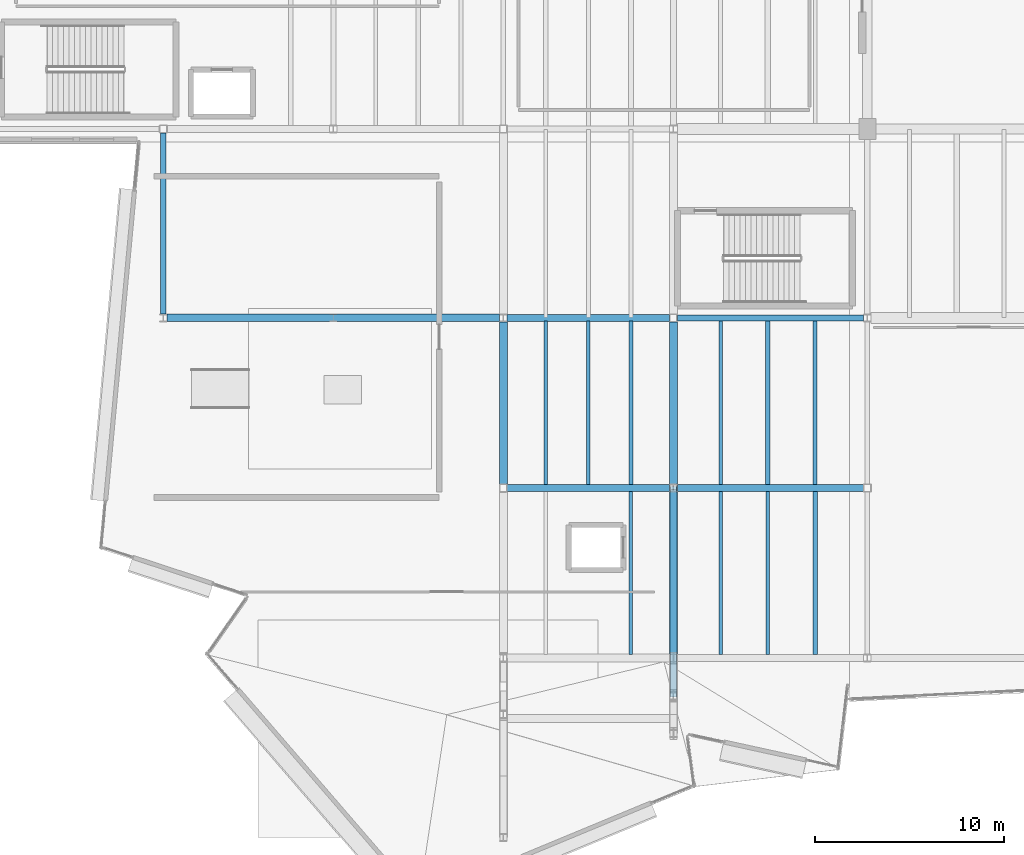
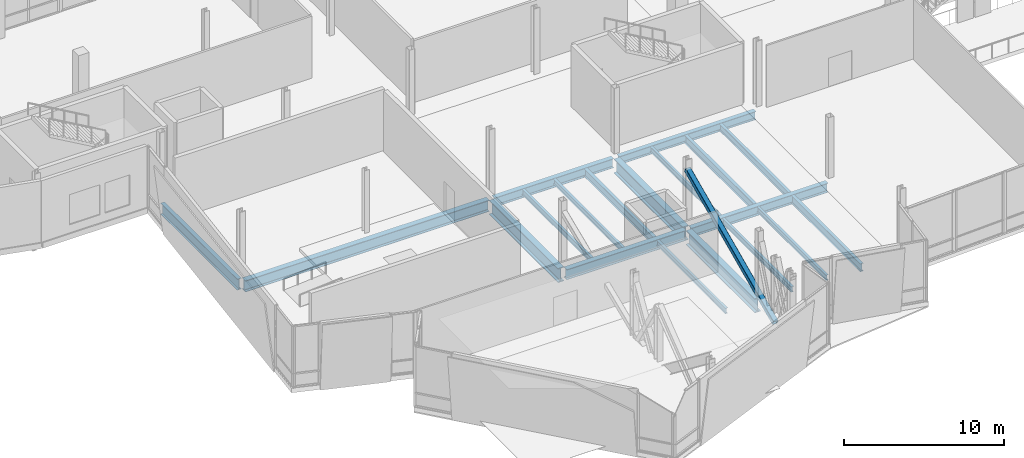
# One storey, part 17 of 73: 19 beams, 1 member.
"""IFC4 building model written with IfcOpenShell, lengths in metres."""

from ifc_helpers import new_model, si_unit, direction, frame, origin, origin_2d, place, context, subcontext, project, spatial, hollow_rectangle, i_section, extrude, material, material_profile, profile_set, type_object, element, save


model = new_model("IFC4")

# Units and contexts
model_context = context("Model", 3, precision=1e-05, world=origin(), true_north=direction((0.0, 1.0)))
body_context = subcontext(model_context, "Body", "Model", "MODEL_VIEW")
ifc_project = project(units=[si_unit("LENGTHUNIT", "METRE"), si_unit("AREAUNIT", "SQUARE_METRE"), si_unit("VOLUMEUNIT", "CUBIC_METRE"), si_unit("PLANEANGLEUNIT", "RADIAN"), si_unit("MASSUNIT", "GRAM", prefix="KILO")], contexts=[model_context])

# Site, building, storey
site_placement = place(None, origin())
site = spatial("IfcSite", under=ifc_project, at=site_placement, CompositionType="ELEMENT")
building_placement = place(site_placement, origin())
building = spatial("IfcBuilding", under=site, at=building_placement, Name="Trimount Lyric Opera House", CompositionType="ELEMENT")
storey_placement = place(building_placement, frame((0.0, 0.0, 10.0)))
storey = spatial("IfcBuildingStorey", under=building, at=storey_placement, Name="L02", CompositionType="ELEMENT", Elevation=10.0)

# Beams
ifc_material_1 = material(Name="Steel ASTM A992 Grade 50", Category="steel")
ifc_material_profile_1 = material_profile(ifc_material_1, i_section(OverallWidth=0.40087890625, OverallDepth=0.861083984375, WebThickness=0.019775390625, FlangeThickness=0.032470703125, FilletRadius=0.02001953125, at=origin_2d()), Name="W33X221")
ifc_profile_set_1 = profile_set([ifc_material_profile_1], Name="Steel ASTM A992 Grade 50")
beam_type_1 = type_object("IfcBeamType", Name="B-04", PredefinedType="BEAM", material=ifc_profile_set_1)
beam_1_placement = place(storey_placement, frame((27.202880859375, 44.0, -0.780517578125), z_axis=(1.0, 0.0, 0.0), x_axis=(0.0, 1.0, 0.0)))
element("IfcBeam", 1, at=beam_1_placement, inside=storey, type_object=beam_type_1, Name="L02 girder X-0721", PredefinedType="BEAM", context=body_context, shape_type="SweptSolid", body=[
    extrude(i_section(OverallWidth=0.40087890625, OverallDepth=0.861083984375, WebThickness=0.019775390625, FlangeThickness=0.032470703125, FilletRadius=0.02001953125, at=origin_2d()), origin(), (0.0, 0.0, 1.0), 17.59423828125),
])
ifc_material_2 = material(Name="Steel ASTM A992 Grade 50", Category="steel")
ifc_material_profile_2 = material_profile(ifc_material_2, i_section(OverallWidth=0.2919921875, OverallDepth=0.845947265625, WebThickness=0.015380859375, FlangeThickness=0.0244140625, FilletRadius=0.01806640625, at=origin_2d()), Name="W33X141")
ifc_profile_set_2 = profile_set([ifc_material_profile_2], Name="Steel ASTM A992 Grade 50")
beam_type_2 = type_object("IfcBeamType", Name="B-05", PredefinedType="BEAM", material=ifc_profile_set_2)
beam_2_placement = place(storey_placement, frame((27.0, 44.20849609375, -0.77294921875), z_axis=(0.0, 1.0, 0.0), x_axis=(-1.0, 0.0, 0.0)))
element("IfcBeam", 2, at=beam_2_placement, inside=storey, type_object=beam_type_2, Name="L02 girder Y-0845", PredefinedType="BEAM", context=body_context, shape_type="SweptSolid", body=[
    extrude(i_section(OverallWidth=0.2919921875, OverallDepth=0.845947265625, WebThickness=0.015380859375, FlangeThickness=0.0244140625, FilletRadius=0.01806640625, at=origin_2d()), origin(), (0.0, 0.0, 1.0), 9.58837890625),
])
ifc_material_3 = material(Name="Steel ASTM A992 Grade 50", Category="steel")
ifc_material_profile_3 = material_profile(ifc_material_3, i_section(OverallWidth=0.382080078125, OverallDepth=0.779052734375, WebThickness=0.01806640625, FlangeThickness=0.0302734375, FilletRadius=0.01904296875, at=origin_2d()), Name="W30X191")
ifc_profile_set_3 = profile_set([ifc_material_profile_3], Name="Steel ASTM A992 Grade 50")
beam_type_3 = type_object("IfcBeamType", Name="B-06", PredefinedType="BEAM", material=ifc_profile_set_3)
beam_3_placement = place(storey_placement, frame((45.203125, 35.0, -0.739501953125), z_axis=(1.0, 0.0, 0.0), x_axis=(0.0, 1.0, 0.0)))
element("IfcBeam", 3, at=beam_3_placement, inside=storey, type_object=beam_type_3, Name="L02 girder X-0719", PredefinedType="BEAM", context=body_context, shape_type="SweptSolid", body=[
    extrude(i_section(OverallWidth=0.382080078125, OverallDepth=0.779052734375, WebThickness=0.01806640625, FlangeThickness=0.0302734375, FilletRadius=0.01904296875, at=origin_2d()), origin(), (0.0, 0.0, 1.0), 8.593994140625),
])
ifc_material_4 = material(Name="Steel ASTM A992 Grade 50", Category="steel")
ifc_material_profile_4 = material_profile(ifc_material_4, i_section(OverallWidth=0.35595703125, OverallDepth=0.700927734375, WebThickness=0.016845703125, FlangeThickness=0.02734375, FilletRadius=0.01806640625, at=origin_2d()), Name="W27X161")
ifc_profile_set_4 = profile_set([ifc_material_profile_4], Name="Steel ASTM A992 Grade 50")
beam_type_4 = type_object("IfcBeamType", Name="B-08", PredefinedType="BEAM", material=ifc_profile_set_4)
beam_4_placement = place(storey_placement, frame((54.202880859375, 35.0, -0.700439453125), z_axis=(1.0, 0.0, 0.0), x_axis=(0.0, 1.0, 0.0)))
element("IfcBeam", 4, at=beam_4_placement, inside=storey, type_object=beam_type_4, Name="L02 girder X-0720", PredefinedType="BEAM", context=body_context, shape_type="SweptSolid", body=[
    extrude(i_section(OverallWidth=0.35595703125, OverallDepth=0.700927734375, WebThickness=0.016845703125, FlangeThickness=0.02734375, FilletRadius=0.01806640625, at=origin_2d()), origin(), (0.0, 0.0, 1.0), 9.85400390625),
])
beam_5_placement = place(storey_placement, frame((45.202880859375, 44.0, -0.700439453125), z_axis=(1.0, 0.0, 0.0), x_axis=(0.0, 1.0, 0.0)))
element("IfcBeam", 5, at=beam_5_placement, inside=storey, type_object=beam_type_4, Name="L02 girder X-0722", PredefinedType="BEAM", context=body_context, shape_type="SweptSolid", body=[
    extrude(i_section(OverallWidth=0.35595703125, OverallDepth=0.700927734375, WebThickness=0.016845703125, FlangeThickness=0.02734375, FilletRadius=0.01806640625, at=origin_2d()), origin(), (0.0, 0.0, 1.0), 8.593994140625),
])
ifc_material_5 = material(Name="Steel ASTM A992 Grade 50", Category="steel")
ifc_material_profile_5 = material_profile(ifc_material_5, i_section(OverallWidth=0.327880859375, OverallDepth=0.626953125, WebThickness=0.0166015625, FlangeThickness=0.027587890625, FilletRadius=0.01611328125, at=origin_2d()), Name="W24X146")
ifc_profile_set_5 = profile_set([ifc_material_profile_5], Name="Steel ASTM A992 Grade 50")
beam_type_5 = type_object("IfcBeamType", Name="B-10", PredefinedType="BEAM", material=ifc_profile_set_5)
beam_6_placement = place(storey_placement, frame((54.203125, 44.0, -0.66357421875), z_axis=(1.0, 0.0, 0.0), x_axis=(0.0, 1.0, 0.0)))
element("IfcBeam", 6, at=beam_6_placement, inside=storey, type_object=beam_type_5, Name="L02 girder X-0723", PredefinedType="BEAM", context=body_context, shape_type="SweptSolid", body=[
    extrude(i_section(OverallWidth=0.327880859375, OverallDepth=0.626953125, WebThickness=0.0166015625, FlangeThickness=0.027587890625, FilletRadius=0.01611328125, at=origin_2d()), origin(), (0.0, 0.0, 1.0), 9.853759765625),
])

# Member
ifc_material_6 = material(Name="Steel ASTM A500 Grade C", Category="steel")
ifc_material_profile_6 = material_profile(ifc_material_6, hollow_rectangle(XDim=0.355712890625, YDim=0.355712890625, WallThickness=0.014892578125, InnerFilletRadius=0.01513671875, OuterFilletRadius=0.030029296875, at=origin_2d()), Name="HSS355.6X355.6X15.9")
ifc_profile_set_6 = profile_set([ifc_material_profile_6], Name="Steel ASTM A500 Grade C")
member_type = type_object("IfcMemberType", Name="BR-01", PredefinedType="BRACE", material=ifc_profile_set_6)
member_placement = place(storey_placement, frame((54.0, 35.0, 4.12890625), z_axis=(0.0, -0.909589162066, -0.415508792028), x_axis=(1.0, 0.0, 0.0)))
element("IfcMember", 7, at=member_placement, inside=storey, type_object=member_type, Name="L02 crystal truss 3 back-span tie-back brace", PredefinedType="BRACE", context=body_context, shape_type="SweptSolid", body=[
    extrude(hollow_rectangle(XDim=0.355712890625, YDim=0.355712890625, WallThickness=0.014892578125, InnerFilletRadius=0.01513671875, OuterFilletRadius=0.030029296875, at=origin_2d()), origin(), (0.0, 0.0, 1.0), 12.09326171875),
])

# Beams
ifc_material_7 = material(Name="Steel ASTM A992 Grade 50", Category="steel")
ifc_material_profile_7 = material_profile(ifc_material_7, i_section(OverallWidth=0.22802734375, OverallDepth=0.60205078125, WebThickness=0.010498046875, FlangeThickness=0.014892578125, FilletRadius=0.012939453125, at=origin_2d()), Name="W24X68")
ifc_profile_set_7 = profile_set([ifc_material_profile_7], Name="Steel ASTM A992 Grade 50")
beam_type_6 = type_object("IfcBeamType", Name="J-01", PredefinedType="BEAM", material=ifc_profile_set_7)
for number, where, z_axis, x_axis, name in (
    (8, (51.75, 35.18701171875, -0.65087890625), (0.0, 1.0, 0.0), (-1.0, 0.0, 0.0), "L02 composite floor joist 0850"),
    (9, (61.5, 26.18701171875, -0.65087890625), (0.0, 1.0, 0.0), (-1.0, 0.0, 0.0), "L02 composite floor joist 0877"),
):
    element("IfcBeam", number, at=place(storey_placement, frame(where, z_axis=z_axis, x_axis=x_axis)), inside=storey, type_object=beam_type_6, Name=name, PredefinedType="BEAM", context=body_context, shape_type="SweptSolid", body=[
        extrude(i_section(OverallWidth=0.22802734375, OverallDepth=0.60205078125, WebThickness=0.010498046875, FlangeThickness=0.014892578125, FilletRadius=0.012939453125, at=origin_2d()), origin(), (0.0, 0.0, 1.0), 8.638916015625),
    ])
beam_7_placement = place(storey_placement, frame((59.0, 35.174072265625, -0.65087890625), z_axis=(0.0, 1.0, 0.0), x_axis=(-1.0, 0.0, 0.0)))
element("IfcBeam", 10, at=beam_7_placement, inside=storey, type_object=beam_type_6, Name="L02 composite floor joist 0879", PredefinedType="BEAM", context=body_context, shape_type="SweptSolid", body=[
    extrude(i_section(OverallWidth=0.22802734375, OverallDepth=0.60205078125, WebThickness=0.010498046875, FlangeThickness=0.014892578125, FilletRadius=0.012939453125, at=origin_2d()), origin(), (0.0, 0.0, 1.0), 8.666015625),
])
ifc_material_8 = material(Name="Steel ASTM A992 Grade 50", Category="steel")
ifc_material_profile_8 = material_profile(ifc_material_8, i_section(OverallWidth=0.2099609375, OverallDepth=0.532958984375, WebThickness=0.01025390625, FlangeThickness=0.015625, FilletRadius=0.012939453125, at=origin_2d()), Name="W21X62")
ifc_profile_set_8 = profile_set([ifc_material_profile_8], Name="Steel ASTM A992 Grade 50")
beam_type_7 = type_object("IfcBeamType", Name="J-02", PredefinedType="BEAM", material=ifc_profile_set_8)
beam_8_placement = place(storey_placement, frame((61.5, 35.174072265625, -0.616455078125), z_axis=(0.0, 1.0, 0.0), x_axis=(-1.0, 0.0, 0.0)))
element("IfcBeam", 11, at=beam_8_placement, inside=storey, type_object=beam_type_7, Name="L02 composite floor joist 0880", PredefinedType="BEAM", context=body_context, shape_type="SweptSolid", body=[
    extrude(i_section(OverallWidth=0.2099609375, OverallDepth=0.532958984375, WebThickness=0.01025390625, FlangeThickness=0.015625, FilletRadius=0.012939453125, at=origin_2d()), origin(), (0.0, 0.0, 1.0), 8.666015625),
])
ifc_material_9 = material(Name="Steel ASTM A992 Grade 50", Category="steel")
ifc_material_profile_9 = material_profile(ifc_material_9, i_section(OverallWidth=0.180908203125, OverallDepth=0.4169921875, WebThickness=0.010986328125, FlangeThickness=0.018310546875, FilletRadius=0.010986328125, at=origin_2d()), Name="W16X57")
ifc_profile_set_9 = profile_set([ifc_material_profile_9], Name="Steel ASTM A992 Grade 50")
beam_type_8 = type_object("IfcBeamType", Name="J-05", PredefinedType="BEAM", material=ifc_profile_set_9)
for number, where, z_axis, x_axis, name in (
    (12, (47.25, 35.18701171875, -0.55859375), (0.0, 1.0, 0.0), (-1.0, 0.0, 0.0), "L02 composite floor joist 0848"),
    (13, (56.5, 26.18701171875, -0.55859375), (0.0, 1.0, 0.0), (-1.0, 0.0, 0.0), "L02 composite floor joist 0875"),
):
    element("IfcBeam", number, at=place(storey_placement, frame(where, z_axis=z_axis, x_axis=x_axis)), inside=storey, type_object=beam_type_8, Name=name, PredefinedType="BEAM", context=body_context, shape_type="SweptSolid", body=[
        extrude(i_section(OverallWidth=0.180908203125, OverallDepth=0.4169921875, WebThickness=0.010986328125, FlangeThickness=0.018310546875, FilletRadius=0.010986328125, at=origin_2d()), origin(), (0.0, 0.0, 1.0), 8.638916015625),
    ])
ifc_material_10 = material(Name="Steel ASTM A992 Grade 50", Category="steel")
ifc_material_profile_10 = material_profile(ifc_material_10, i_section(OverallWidth=0.177978515625, OverallDepth=0.404052734375, WebThickness=0.007568359375, FlangeThickness=0.010986328125, FilletRadius=0.010009765625, at=origin_2d()), Name="W16X36")
ifc_profile_set_10 = profile_set([ifc_material_profile_10], Name="Steel ASTM A992 Grade 50")
beam_type_9 = type_object("IfcBeamType", Name="J-06", PredefinedType="BEAM", material=ifc_profile_set_10)
beam_9_placement = place(storey_placement, frame((51.75, 26.196533203125, -0.552001953125), z_axis=(0.0, 1.0, 0.0), x_axis=(-1.0, 0.0, 0.0)))
element("IfcBeam", 14, at=beam_9_placement, inside=storey, type_object=beam_type_9, Name="L02 composite floor joist 0847", PredefinedType="BEAM", context=body_context, shape_type="SweptSolid", body=[
    extrude(i_section(OverallWidth=0.177978515625, OverallDepth=0.404052734375, WebThickness=0.007568359375, FlangeThickness=0.010986328125, FilletRadius=0.010009765625, at=origin_2d()), origin(), (0.0, 0.0, 1.0), 8.616455078125),
])
for number, where, z_axis, x_axis, name in (
    (15, (49.5, 35.18701171875, -0.552001953125), (0.0, 1.0, 0.0), (-1.0, 0.0, 0.0), "L02 composite floor joist 0849"),
    (16, (59.0, 26.18701171875, -0.552001953125), (0.0, 1.0, 0.0), (-1.0, 0.0, 0.0), "L02 composite floor joist 0876"),
):
    element("IfcBeam", number, at=place(storey_placement, frame(where, z_axis=z_axis, x_axis=x_axis)), inside=storey, type_object=beam_type_9, Name=name, PredefinedType="BEAM", context=body_context, shape_type="SweptSolid", body=[
        extrude(i_section(OverallWidth=0.177978515625, OverallDepth=0.404052734375, WebThickness=0.007568359375, FlangeThickness=0.010986328125, FilletRadius=0.010009765625, at=origin_2d()), origin(), (0.0, 0.0, 1.0), 8.638916015625),
    ])
beam_10_placement = place(storey_placement, frame((56.5, 35.174072265625, -0.552001953125), z_axis=(0.0, 1.0, 0.0), x_axis=(-1.0, 0.0, 0.0)))
element("IfcBeam", 17, at=beam_10_placement, inside=storey, type_object=beam_type_9, Name="L02 composite floor joist 0878", PredefinedType="BEAM", context=body_context, shape_type="SweptSolid", body=[
    extrude(i_section(OverallWidth=0.177978515625, OverallDepth=0.404052734375, WebThickness=0.007568359375, FlangeThickness=0.010986328125, FilletRadius=0.010009765625, at=origin_2d()), origin(), (0.0, 0.0, 1.0), 8.666015625),
])
ifc_material_11 = material(Name="Steel ASTM A992 Grade 50", Category="steel")
ifc_material_profile_11 = material_profile(ifc_material_11, i_section(OverallWidth=0.427001953125, OverallDepth=1.092041015625, WebThickness=0.031005859375, FlangeThickness=0.055908203125, FilletRadius=0.02490234375, at=origin_2d()), Name="W40X397")
ifc_profile_set_11 = profile_set([ifc_material_profile_11], Name="Steel ASTM A992 Grade 50")
beam_type_10 = type_object("IfcBeamType", Name="TG-02", PredefinedType="USERDEFINED", material=ifc_profile_set_11)
for number, where, z_axis, x_axis, name in (
    (18, (45.0, 35.203125, -0.89599609375), (0.0, 1.0, 0.0), (-1.0, 0.0, 0.0), "L02 girder Y-0854"),
    (19, (54.0, 26.203125, -0.89599609375), (0.0, 1.0, 0.0), (-1.0, 0.0, 0.0), "L02 girder Y-0863"),
    (20, (54.0, 35.20849609375, -0.89599609375), (0.0, 1.0, 0.0), (-1.0, 0.0, 0.0), "L02 girder Y-0864"),
):
    element("IfcBeam", number, at=place(storey_placement, frame(where, z_axis=z_axis, x_axis=x_axis)), inside=storey, type_object=beam_type_10, Name=name, ObjectType="TRANSFER_GIRDER", PredefinedType="USERDEFINED", context=body_context, shape_type="SweptSolid", body=[
        extrude(i_section(OverallWidth=0.427001953125, OverallDepth=1.092041015625, WebThickness=0.031005859375, FlangeThickness=0.055908203125, FilletRadius=0.02490234375, at=origin_2d()), origin(), (0.0, 0.0, 1.0), 8.58837890625),
    ])

save(model, "model.ifc")
